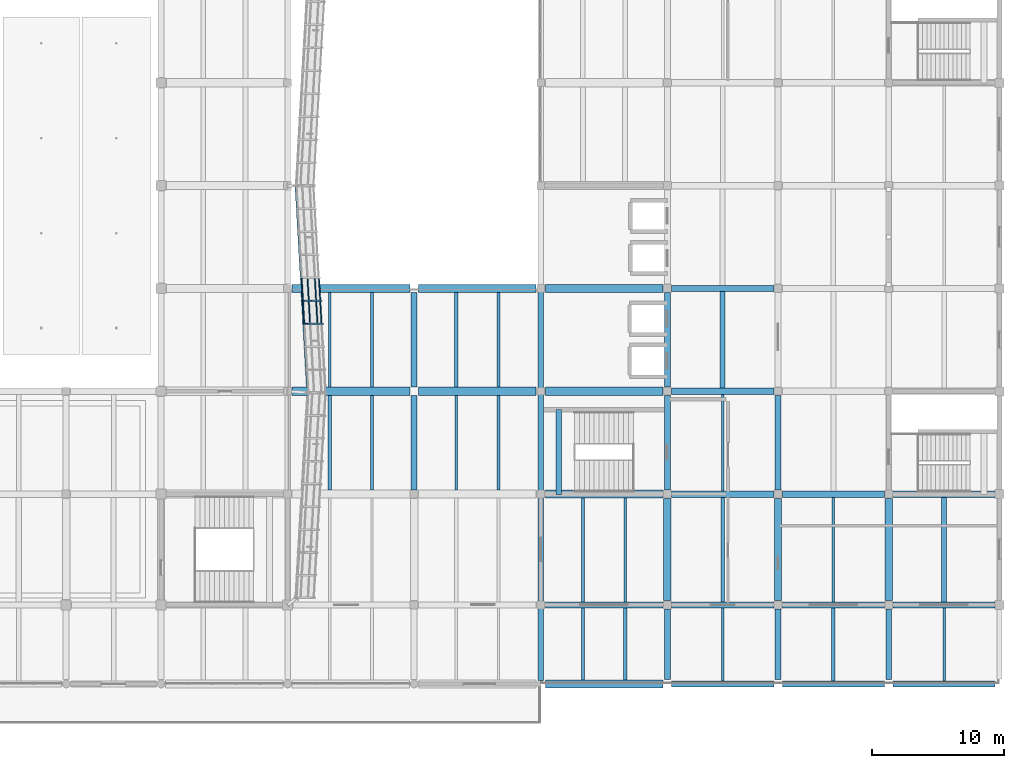
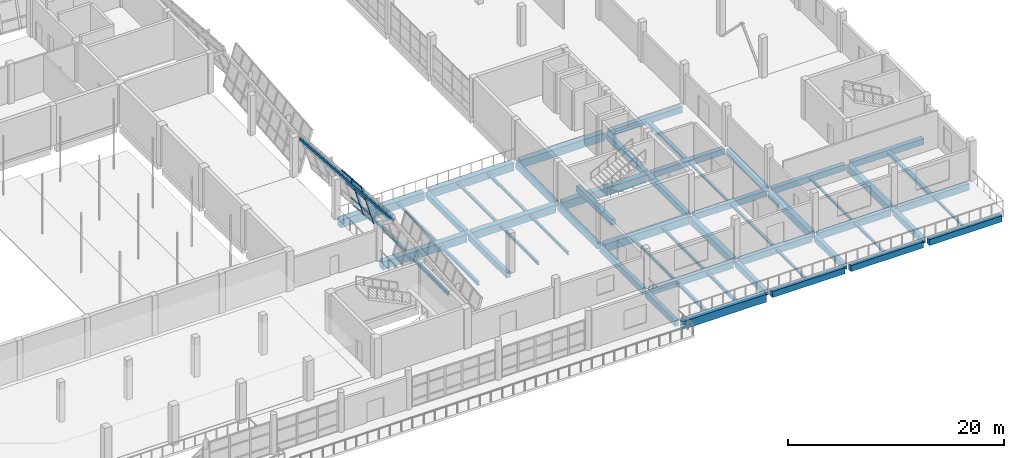
# One storey, part 19 of 71: 57 beams, 10 members, 1 element without a shape of its own.
"""IFC4 building model written with IfcOpenShell, lengths in metres."""

from ifc_helpers import new_model, si_unit, direction, frame, origin, origin_2d, place, context, subcontext, project, spatial, rectangle, hollow_rectangle, i_section, extrude, material, material_profile, profile_set, type_object, element, aggregate, save


model = new_model("IFC4")

# Units and contexts
model_context = context("Model", 3, precision=1e-05, world=origin(), true_north=direction((0.0, 1.0)))
body_context = subcontext(model_context, "Body", "Model", "MODEL_VIEW")
ifc_project = project(units=[si_unit("LENGTHUNIT", "METRE"), si_unit("AREAUNIT", "SQUARE_METRE"), si_unit("VOLUMEUNIT", "CUBIC_METRE"), si_unit("PLANEANGLEUNIT", "RADIAN"), si_unit("MASSUNIT", "GRAM", prefix="KILO")], contexts=[model_context])

# Site, building, storey
site_placement = place(None, origin())
site = spatial("IfcSite", under=ifc_project, at=site_placement, CompositionType="ELEMENT")
building_placement = place(site_placement, origin())
building = spatial("IfcBuilding", under=site, at=building_placement, Name="Pellamere Symphony Hall", CompositionType="ELEMENT")
storey_placement = place(building_placement, frame((0.0, 0.0, 15.0)))
storey = spatial("IfcBuildingStorey", under=building, at=storey_placement, Name="L03", CompositionType="ELEMENT", Elevation=15.0)

# Curtain wall, members
ifc_material_1 = material(Name="Thermally Broken Anodised Aluminium 6063-T6 Curtain Wall", Category="aluminium")
curtain_wall_type = type_object("IfcCurtainWallType", Name="Curtain Wall CW-01 (Tilted Faceted Crystal Low-Iron Curtain Wall)", PredefinedType="NOTDEFINED", material=ifc_material_1)
curtain_wall_placement = place(storey_placement, origin())
curtain_wall = element("IfcCurtainWall", 1, at=curtain_wall_placement, inside=storey, type_object=curtain_wall_type, Name="Crystal Faceted Curtain Wall CW-CR07 (L03)", PredefinedType="NOTDEFINED")
ifc_material_2 = material(Name="Anodised Architectural Aluminium 6063-T6", Category="aluminium")
ifc_material_profile_1 = material_profile(ifc_material_2, hollow_rectangle(XDim=0.074951171875, YDim=0.219970703125, WallThickness=0.0048828125, at=origin_2d()), Name="ALU-M75X220X5")
ifc_profile_set_1 = profile_set([ifc_material_profile_1], Name="Anodised Architectural Aluminium 6063-T6")
member_type_1 = type_object("IfcMemberType", Name="Curtain Wall Mullion ML-01 ALU-M75X220X5", PredefinedType="MULLION", material=ifc_profile_set_1)
member_1_placement = place(storey_placement, frame((121.383056640625, 51.333251953125, 0.0), z_axis=(-0.284024567884, 0.0, 0.95881700279), x_axis=(-0.054873944304, 0.99836096977, -0.016254976991)))
member_1 = element("IfcMember", 2, at=member_1_placement, type_object=member_type_1, Name="CW1-010 crystal mullion 4", PredefinedType="MULLION", context=body_context, shape_type="SweptSolid", body=[
    extrude(hollow_rectangle(XDim=0.074951171875, YDim=0.219970703125, WallThickness=0.0048828125, at=origin_2d()), origin(), (0.0, 0.0, 1.0), 4.693359375),
])
member_2_placement = place(storey_placement, frame((121.282958984375, 53.077880859375, 0.0), z_axis=(-0.284024567884, 0.0, 0.95881700279), x_axis=(-0.054873944304, 0.99836096977, -0.016254976991)))
member_2 = element("IfcMember", 3, at=member_2_placement, type_object=member_type_1, Name="CW1-010 crystal mullion 5", PredefinedType="MULLION", context=body_context, shape_type="SweptSolid", body=[
    extrude(hollow_rectangle(XDim=0.074951171875, YDim=0.219970703125, WallThickness=0.0048828125, at=origin_2d()), origin(), (0.0, 0.0, 1.0), 4.693359375),
])
ifc_material_profile_2 = material_profile(ifc_material_2, hollow_rectangle(XDim=0.074951171875, YDim=0.179931640625, WallThickness=0.0048828125, at=origin_2d()), Name="ALU-T75X180X5")
ifc_profile_set_2 = profile_set([ifc_material_profile_2], Name="Anodised Architectural Aluminium 6063-T6")
member_type_2 = type_object("IfcMemberType", Name="Curtain Wall Transom TR-01 ALU-T75X180X5", PredefinedType="USERDEFINED", material=ifc_profile_set_2)
member_3_placement = place(storey_placement, frame((121.3701171875, 51.370849609375, 0.035888671875), z_axis=(-0.057232737422, 0.998360863499, 0.0), x_axis=(-0.998360863499, -0.057232737422, 0.0)))
member_3 = element("IfcMember", 4, at=member_3_placement, type_object=member_type_2, Name="CW1-010 crystal transom 4.1", ObjectType="TRANSOM", PredefinedType="USERDEFINED", context=body_context, shape_type="SweptSolid", body=[
    extrude(hollow_rectangle(XDim=0.074951171875, YDim=0.179931640625, WallThickness=0.0048828125, at=origin_2d()), origin(), (0.0, 0.0, 1.0), 1.672119140625),
])
member_4_placement = place(storey_placement, frame((121.06103515625, 51.370849609375, 1.080078125), z_axis=(-0.057232737422, 0.998360863499, 0.0), x_axis=(-0.998360863499, -0.057232737422, 0.0)))
member_4 = element("IfcMember", 5, at=member_4_placement, type_object=member_type_2, Name="CW1-010 crystal transom 4.2", ObjectType="TRANSOM", PredefinedType="USERDEFINED", context=body_context, shape_type="SweptSolid", body=[
    extrude(hollow_rectangle(XDim=0.074951171875, YDim=0.179931640625, WallThickness=0.0048828125, at=origin_2d()), origin(), (0.0, 0.0, 1.0), 1.672119140625),
])
member_5_placement = place(storey_placement, frame((120.5009765625, 51.370849609375, 2.969970703125), z_axis=(-0.057232737422, 0.998360863499, 0.0), x_axis=(-0.998360863499, -0.057232737422, 0.0)))
member_5 = element("IfcMember", 6, at=member_5_placement, type_object=member_type_2, Name="CW1-010 crystal transom 4.3", ObjectType="TRANSOM", PredefinedType="USERDEFINED", context=body_context, shape_type="SweptSolid", body=[
    extrude(hollow_rectangle(XDim=0.074951171875, YDim=0.179931640625, WallThickness=0.0048828125, at=origin_2d()), origin(), (0.0, 0.0, 1.0), 1.672119140625),
])
member_6_placement = place(storey_placement, frame((120.05859375, 51.370849609375, 4.464111328125), z_axis=(-0.057232737422, 0.998360863499, 0.0), x_axis=(-0.998360863499, -0.057232737422, 0.0)))
member_6 = element("IfcMember", 7, at=member_6_placement, type_object=member_type_2, Name="CW1-010 crystal transom 4.4", ObjectType="TRANSOM", PredefinedType="USERDEFINED", context=body_context, shape_type="SweptSolid", body=[
    extrude(hollow_rectangle(XDim=0.074951171875, YDim=0.179931640625, WallThickness=0.0048828125, at=origin_2d()), origin(), (0.0, 0.0, 1.0), 1.672119140625),
])
member_7_placement = place(storey_placement, frame((121.270263671875, 53.115234375, 0.035888671875), z_axis=(-0.057232737422, 0.998360863499, 0.0), x_axis=(-0.998360863499, -0.057232737422, 0.0)))
member_7 = element("IfcMember", 8, at=member_7_placement, type_object=member_type_2, Name="CW1-010 crystal transom 5.1", ObjectType="TRANSOM", PredefinedType="USERDEFINED", context=body_context, shape_type="SweptSolid", body=[
    extrude(hollow_rectangle(XDim=0.074951171875, YDim=0.179931640625, WallThickness=0.0048828125, at=origin_2d()), origin(), (0.0, 0.0, 1.0), 1.672119140625),
])
member_8_placement = place(storey_placement, frame((120.9609375, 53.115234375, 1.080078125), z_axis=(-0.057232737422, 0.998360863499, 0.0), x_axis=(-0.998360863499, -0.057232737422, 0.0)))
member_8 = element("IfcMember", 9, at=member_8_placement, type_object=member_type_2, Name="CW1-010 crystal transom 5.2", ObjectType="TRANSOM", PredefinedType="USERDEFINED", context=body_context, shape_type="SweptSolid", body=[
    extrude(hollow_rectangle(XDim=0.074951171875, YDim=0.179931640625, WallThickness=0.0048828125, at=origin_2d()), origin(), (0.0, 0.0, 1.0), 1.672119140625),
])
member_9_placement = place(storey_placement, frame((120.401123046875, 53.115234375, 2.969970703125), z_axis=(-0.057232737422, 0.998360863499, 0.0), x_axis=(-0.998360863499, -0.057232737422, 0.0)))
member_9 = element("IfcMember", 10, at=member_9_placement, type_object=member_type_2, Name="CW1-010 crystal transom 5.3", ObjectType="TRANSOM", PredefinedType="USERDEFINED", context=body_context, shape_type="SweptSolid", body=[
    extrude(hollow_rectangle(XDim=0.074951171875, YDim=0.179931640625, WallThickness=0.0048828125, at=origin_2d()), origin(), (0.0, 0.0, 1.0), 1.672119140625),
])
member_10_placement = place(storey_placement, frame((119.95849609375, 53.115234375, 4.464111328125), z_axis=(-0.057232737422, 0.998360863499, 0.0), x_axis=(-0.998360863499, -0.057232737422, 0.0)))
member_10 = element("IfcMember", 11, at=member_10_placement, type_object=member_type_2, Name="CW1-010 crystal transom 5.4", ObjectType="TRANSOM", PredefinedType="USERDEFINED", context=body_context, shape_type="SweptSolid", body=[
    extrude(hollow_rectangle(XDim=0.074951171875, YDim=0.179931640625, WallThickness=0.0048828125, at=origin_2d()), origin(), (0.0, 0.0, 1.0), 1.672119140625),
])
aggregate(curtain_wall, [member_1, member_2, member_3, member_4, member_5, member_6, member_7, member_8, member_9, member_10])

# Beams
ifc_material_3 = material(Name="Concrete 40 MPa", Category="concrete")
ifc_material_profile_3 = material_profile(ifc_material_3, rectangle(XDim=0.550048828125, YDim=0.800048828125, at=origin_2d()), Name="RC 550x800")
ifc_profile_set_3 = profile_set([ifc_material_profile_3], Name="Concrete 40 MPa")
beam_type_1 = type_object("IfcBeamType", Name="RC CB-05 550x800", PredefinedType="BEAM", material=ifc_profile_set_3)
for number, where, z_axis, x_axis, name in (
    (12, (147.60009765625, 30.324951171875, -0.659912109375), (0.0, 1.0, 0.0), (-1.0, 0.0, 0.0), "Girder CB-05-Y1680 (L03)"),
    (13, (156.0, 30.324951171875, -0.659912109375), (0.0, 1.0, 0.0), (-1.0, 0.0, 0.0), "Girder CB-05-Y1689 (L03)"),
    (14, (164.39990234375, 30.324951171875, -0.659912109375), (0.0, 1.0, 0.0), (-1.0, 0.0, 0.0), "Girder CB-05-Y1698 (L03)"),
):
    element("IfcBeam", number, at=place(storey_placement, frame(where, z_axis=z_axis, x_axis=x_axis)), inside=storey, type_object=beam_type_1, Name=name, PredefinedType="BEAM", context=body_context, shape_type="SweptSolid", body=[
        extrude(rectangle(XDim=0.550048828125, YDim=0.800048828125, at=origin_2d()), origin(), (0.0, 0.0, 1.0), 7.75),
    ])
ifc_material_profile_4 = material_profile(ifc_material_3, rectangle(XDim=0.449951171875, YDim=0.64990234375, at=origin_2d()), Name="RC 450x650")
ifc_profile_set_4 = profile_set([ifc_material_profile_4], Name="Concrete 40 MPa")
beam_type_2 = type_object("IfcBeamType", Name="RC CB-08 450x650", PredefinedType="BEAM", material=ifc_profile_set_4)
beam_1_placement = place(storey_placement, frame((128.39990234375, 38.72509765625, -0.5849609375), z_axis=(0.0, 1.0, 0.0), x_axis=(-1.0, 0.0, 0.0)))
element("IfcBeam", 15, at=beam_1_placement, inside=storey, type_object=beam_type_2, Name="Girder CB-08-Y1668 (L03)", PredefinedType="BEAM", context=body_context, shape_type="SweptSolid", body=[
    extrude(rectangle(XDim=0.449951171875, YDim=0.64990234375, at=origin_2d()), origin(), (0.0, 0.0, 1.0), 7.14990234375),
])
beam_2_placement = place(storey_placement, frame((128.39990234375, 46.52490234375, -0.5849609375), z_axis=(0.0, 1.0, 0.0), x_axis=(-1.0, 0.0, 0.0)))
element("IfcBeam", 16, at=beam_2_placement, inside=storey, type_object=beam_type_2, Name="Girder CB-08-Y1669 (L03)", PredefinedType="BEAM", context=body_context, shape_type="SweptSolid", body=[
    extrude(rectangle(XDim=0.449951171875, YDim=0.64990234375, at=origin_2d()), origin(), (0.0, 0.0, 1.0), 7.150146484375),
])
beam_3_placement = place(storey_placement, frame((147.60009765625, 24.324951171875, -0.5849609375), z_axis=(0.0, 1.0, 0.0), x_axis=(-1.0, 0.0, 0.0)))
element("IfcBeam", 17, at=beam_3_placement, inside=storey, type_object=beam_type_2, Name="Girder CB-08-Y1679 (L03)", PredefinedType="BEAM", context=body_context, shape_type="SweptSolid", body=[
    extrude(rectangle(XDim=0.449951171875, YDim=0.64990234375, at=origin_2d()), origin(), (0.0, 0.0, 1.0), 5.35009765625),
])
beam_4_placement = place(storey_placement, frame((147.60009765625, 38.72509765625, -0.5849609375), z_axis=(0.0, 1.0, 0.0), x_axis=(-1.0, 0.0, 0.0)))
element("IfcBeam", 18, at=beam_4_placement, inside=storey, type_object=beam_type_2, Name="Girder CB-08-Y1681 (L03)", PredefinedType="BEAM", context=body_context, shape_type="SweptSolid", body=[
    extrude(rectangle(XDim=0.449951171875, YDim=0.64990234375, at=origin_2d()), origin(), (0.0, 0.0, 1.0), 7.14990234375),
])
beam_5_placement = place(storey_placement, frame((147.60009765625, 46.52490234375, -0.5849609375), z_axis=(0.0, 1.0, 0.0), x_axis=(-1.0, 0.0, 0.0)))
element("IfcBeam", 19, at=beam_5_placement, inside=storey, type_object=beam_type_2, Name="Girder CB-08-Y1682 (L03)", PredefinedType="BEAM", context=body_context, shape_type="SweptSolid", body=[
    extrude(rectangle(XDim=0.449951171875, YDim=0.64990234375, at=origin_2d()), origin(), (0.0, 0.0, 1.0), 7.150146484375),
])
beam_6_placement = place(storey_placement, frame((156.0, 24.324951171875, -0.5849609375), z_axis=(0.0, 1.0, 0.0), x_axis=(-1.0, 0.0, 0.0)))
element("IfcBeam", 20, at=beam_6_placement, inside=storey, type_object=beam_type_2, Name="Girder CB-08-Y1688 (L03)", PredefinedType="BEAM", context=body_context, shape_type="SweptSolid", body=[
    extrude(rectangle(XDim=0.449951171875, YDim=0.64990234375, at=origin_2d()), origin(), (0.0, 0.0, 1.0), 5.35009765625),
])
beam_7_placement = place(storey_placement, frame((156.0, 38.72509765625, -0.5849609375), z_axis=(0.0, 1.0, 0.0), x_axis=(-1.0, 0.0, 0.0)))
element("IfcBeam", 21, at=beam_7_placement, inside=storey, type_object=beam_type_2, Name="Girder CB-08-Y1690 (L03)", PredefinedType="BEAM", context=body_context, shape_type="SweptSolid", body=[
    extrude(rectangle(XDim=0.449951171875, YDim=0.64990234375, at=origin_2d()), origin(), (0.0, 0.0, 1.0), 7.14990234375),
])
beam_8_placement = place(storey_placement, frame((164.39990234375, 24.324951171875, -0.5849609375), z_axis=(0.0, 1.0, 0.0), x_axis=(-1.0, 0.0, 0.0)))
element("IfcBeam", 22, at=beam_8_placement, inside=storey, type_object=beam_type_2, Name="Girder CB-08-Y1697 (L03)", PredefinedType="BEAM", context=body_context, shape_type="SweptSolid", body=[
    extrude(rectangle(XDim=0.449951171875, YDim=0.64990234375, at=origin_2d()), origin(), (0.0, 0.0, 1.0), 5.35009765625),
])
beam_9_placement = place(storey_placement, frame((139.367431640625, 38.3798828125, 1.705078125), z_axis=(0.0, 1.0, 0.0), x_axis=(-1.0, 0.0, 0.0)))
element("IfcBeam", 23, at=beam_9_placement, inside=storey, type_object=beam_type_2, Name="Stair ST02-L03 Half Landing Support Beam (L03)", PredefinedType="BEAM", context=body_context, shape_type="SweptSolid", body=[
    extrude(rectangle(XDim=0.449951171875, YDim=0.64990234375, at=origin_2d()), origin(), (0.0, 0.0, 1.0), 6.440185546875),
])
ifc_material_profile_5 = material_profile(ifc_material_3, rectangle(XDim=0.449951171875, YDim=0.75, at=origin_2d()), Name="RC 450x750")
ifc_profile_set_5 = profile_set([ifc_material_profile_5], Name="Concrete 40 MPa")
beam_type_3 = type_object("IfcBeamType", Name="RC CB-12 450x750", PredefinedType="SPANDREL", material=ifc_profile_set_5)
beam_10_placement = place(storey_placement, frame((138.375, 30.0, -0.635009765625), z_axis=(1.0, 0.0, 0.0), x_axis=(0.0, 1.0, 0.0)))
element("IfcBeam", 24, at=beam_10_placement, inside=storey, type_object=beam_type_3, Name="Girder CB-12-X1517 (L03)", PredefinedType="SPANDREL", context=body_context, shape_type="SweptSolid", body=[
    extrude(rectangle(XDim=0.449951171875, YDim=0.75, at=origin_2d()), origin(), (0.0, 0.0, 1.0), 8.89990234375),
])
for number, where, z_axis, x_axis, name in (
    (25, (147.925048828125, 30.0, -0.635009765625), (1.0, 0.0, 0.0), (0.0, 1.0, 0.0), "Girder CB-12-X1518 (L03)"),
    (26, (156.324951171875, 30.0, -0.635009765625), (1.0, 0.0, 0.0), (0.0, 1.0, 0.0), "Girder CB-12-X1519 (L03)"),
):
    element("IfcBeam", number, at=place(storey_placement, frame(where, z_axis=z_axis, x_axis=x_axis)), inside=storey, type_object=beam_type_3, Name=name, PredefinedType="SPANDREL", context=body_context, shape_type="SweptSolid", body=[
        extrude(rectangle(XDim=0.449951171875, YDim=0.75, at=origin_2d()), origin(), (0.0, 0.0, 1.0), 7.75),
    ])
beam_11_placement = place(storey_placement, frame((164.72509765625, 30.0, -0.635009765625), z_axis=(1.0, 0.0, 0.0), x_axis=(0.0, 1.0, 0.0)))
element("IfcBeam", 27, at=beam_11_placement, inside=storey, type_object=beam_type_3, Name="Girder CB-12-X1520 (L03)", PredefinedType="SPANDREL", context=body_context, shape_type="SweptSolid", body=[
    extrude(rectangle(XDim=0.449951171875, YDim=0.75, at=origin_2d()), origin(), (0.0, 0.0, 1.0), 7.71484375),
])
ifc_material_profile_6 = material_profile(ifc_material_3, rectangle(XDim=0.39990234375, YDim=0.699951171875, at=origin_2d()), Name="RC 400x700")
ifc_profile_set_6 = profile_set([ifc_material_profile_6], Name="Concrete 40 MPa")
beam_type_4 = type_object("IfcBeamType", Name="RC CB-13 400x700", PredefinedType="SPANDREL", material=ifc_profile_set_6)
beam_12_placement = place(storey_placement, frame((138.0, 24.25, -0.610107421875), z_axis=(0.0, 1.0, 0.0), x_axis=(-1.0, 0.0, 0.0)))
element("IfcBeam", 28, at=beam_12_placement, inside=storey, type_object=beam_type_4, Name="Girder CB-13-Y1670 (L03)", PredefinedType="SPANDREL", context=body_context, shape_type="SweptSolid", body=[
    extrude(rectangle(XDim=0.39990234375, YDim=0.699951171875, at=origin_2d()), origin(), (0.0, 0.0, 1.0), 5.5),
])
beam_13_placement = place(storey_placement, frame((138.0, 30.25, -0.610107421875), z_axis=(0.0, 1.0, 0.0), x_axis=(-1.0, 0.0, 0.0)))
element("IfcBeam", 29, at=beam_13_placement, inside=storey, type_object=beam_type_4, Name="Girder CB-13-Y1671 (L03)", PredefinedType="SPANDREL", context=body_context, shape_type="SweptSolid", body=[
    extrude(rectangle(XDim=0.39990234375, YDim=0.699951171875, at=origin_2d()), origin(), (0.0, 0.0, 1.0), 7.89990234375),
])
for number, where, z_axis, x_axis, name in (
    (30, (138.0, 38.64990234375, -0.610107421875), (0.0, 1.0, 0.0), (-1.0, 0.0, 0.0), "Girder CB-13-Y1672 (L03)"),
    (31, (138.0, 46.449951171875, -0.610107421875), (0.0, 1.0, 0.0), (-1.0, 0.0, 0.0), "Girder CB-13-Y1673 (L03)"),
):
    element("IfcBeam", number, at=place(storey_placement, frame(where, z_axis=z_axis, x_axis=x_axis)), inside=storey, type_object=beam_type_4, Name=name, PredefinedType="SPANDREL", context=body_context, shape_type="SweptSolid", body=[
        extrude(rectangle(XDim=0.39990234375, YDim=0.699951171875, at=origin_2d()), origin(), (0.0, 0.0, 1.0), 7.300048828125),
    ])
ifc_material_profile_7 = material_profile(ifc_material_3, rectangle(XDim=0.6201171875, YDim=0.8798828125, at=origin_2d()), Name="RC 620x880")
ifc_profile_set_7 = profile_set([ifc_material_profile_7], Name="Concrete 40 MPa")
beam_type_5 = type_object("IfcBeamType", Name="RC CB-17 620x880", PredefinedType="BEAM", material=ifc_profile_set_7)
for number, where, z_axis, x_axis, name in (
    (32, (138.375, 24.0, -0.699951171875), (1.0, 0.0, 0.0), (0.0, 1.0, 0.0), "Girder CB-17-X1502 (L03)"),
    (33, (138.375, 38.39990234375, -0.699951171875), (1.0, 0.0, 0.0), (0.0, 1.0, 0.0), "Girder CB-17-X1532 (L03)"),
):
    element("IfcBeam", number, at=place(storey_placement, frame(where, z_axis=z_axis, x_axis=x_axis)), inside=storey, type_object=beam_type_5, Name=name, PredefinedType="BEAM", context=body_context, shape_type="SweptSolid", body=[
        extrude(rectangle(XDim=0.6201171875, YDim=0.8798828125, at=origin_2d()), origin(), (0.0, 0.0, 1.0), 8.89990234375),
    ])
beam_14_placement = place(storey_placement, frame((119.125, 46.199951171875, -0.699951171875), z_axis=(1.0, 0.0, 0.0), x_axis=(0.0, 1.0, 0.0)))
element("IfcBeam", 34, at=beam_14_placement, inside=storey, type_object=beam_type_5, Name="Girder CB-17-X1545 (L03)", PredefinedType="BEAM", context=body_context, shape_type="SweptSolid", body=[
    extrude(rectangle(XDim=0.6201171875, YDim=0.8798828125, at=origin_2d()), origin(), (0.0, 0.0, 1.0), 8.949951171875),
])
for number, where, z_axis, x_axis, name in (
    (35, (128.72509765625, 46.199951171875, -0.699951171875), (1.0, 0.0, 0.0), (0.0, 1.0, 0.0), "Girder CB-17-X1546 (L03)"),
    (36, (138.375, 46.199951171875, -0.699951171875), (1.0, 0.0, 0.0), (0.0, 1.0, 0.0), "Girder CB-17-X1547 (L03)"),
):
    element("IfcBeam", number, at=place(storey_placement, frame(where, z_axis=z_axis, x_axis=x_axis)), inside=storey, type_object=beam_type_5, Name=name, PredefinedType="BEAM", context=body_context, shape_type="SweptSolid", body=[
        extrude(rectangle(XDim=0.6201171875, YDim=0.8798828125, at=origin_2d()), origin(), (0.0, 0.0, 1.0), 8.89990234375),
    ])
beam_15_placement = place(storey_placement, frame((119.125, 54.0, -0.699951171875), z_axis=(1.0, 0.0, 0.0), x_axis=(0.0, 1.0, 0.0)))
element("IfcBeam", 37, at=beam_15_placement, inside=storey, type_object=beam_type_5, Name="Girder CB-17-X1553 (L03)", PredefinedType="BEAM", context=body_context, shape_type="SweptSolid", body=[
    extrude(rectangle(XDim=0.6201171875, YDim=0.8798828125, at=origin_2d()), origin(), (0.0, 0.0, 1.0), 8.949951171875),
])
for number, where, z_axis, x_axis, name in (
    (38, (128.72509765625, 54.0, -0.699951171875), (1.0, 0.0, 0.0), (0.0, 1.0, 0.0), "Girder CB-17-X1554 (L03)"),
    (39, (138.375, 54.0, -0.699951171875), (1.0, 0.0, 0.0), (0.0, 1.0, 0.0), "Girder CB-17-X1555 (L03)"),
):
    element("IfcBeam", number, at=place(storey_placement, frame(where, z_axis=z_axis, x_axis=x_axis)), inside=storey, type_object=beam_type_5, Name=name, PredefinedType="BEAM", context=body_context, shape_type="SweptSolid", body=[
        extrude(rectangle(XDim=0.6201171875, YDim=0.8798828125, at=origin_2d()), origin(), (0.0, 0.0, 1.0), 8.89990234375),
    ])
ifc_material_profile_8 = material_profile(ifc_material_3, rectangle(XDim=0.47998046875, YDim=0.679931640625, at=origin_2d()), Name="RC 480x680")
ifc_profile_set_8 = profile_set([ifc_material_profile_8], Name="Concrete 40 MPa")
beam_type_6 = type_object("IfcBeamType", Name="RC CB-19 480x680", PredefinedType="BEAM", material=ifc_profile_set_8)
for number, where, z_axis, x_axis, name in (
    (40, (147.925048828125, 24.0, -0.60009765625), (1.0, 0.0, 0.0), (0.0, 1.0, 0.0), "Girder CB-19-X1503 (L03)"),
    (41, (156.324951171875, 24.0, -0.60009765625), (1.0, 0.0, 0.0), (0.0, 1.0, 0.0), "Girder CB-19-X1504 (L03)"),
):
    element("IfcBeam", number, at=place(storey_placement, frame(where, z_axis=z_axis, x_axis=x_axis)), inside=storey, type_object=beam_type_6, Name=name, PredefinedType="BEAM", context=body_context, shape_type="SweptSolid", body=[
        extrude(rectangle(XDim=0.47998046875, YDim=0.679931640625, at=origin_2d()), origin(), (0.0, 0.0, 1.0), 7.75),
    ])
beam_16_placement = place(storey_placement, frame((164.72509765625, 24.0, -0.60009765625), z_axis=(1.0, 0.0, 0.0), x_axis=(0.0, 1.0, 0.0)))
element("IfcBeam", 42, at=beam_16_placement, inside=storey, type_object=beam_type_6, Name="Girder CB-19-X1505 (L03)", PredefinedType="BEAM", context=body_context, shape_type="SweptSolid", body=[
    extrude(rectangle(XDim=0.47998046875, YDim=0.679931640625, at=origin_2d()), origin(), (0.0, 0.0, 1.0), 7.71484375),
])
for number, where, z_axis, x_axis, name in (
    (43, (147.925048828125, 38.39990234375, -0.60009765625), (1.0, 0.0, 0.0), (0.0, 1.0, 0.0), "Girder CB-19-X1533 (L03)"),
    (44, (156.324951171875, 38.39990234375, -0.60009765625), (1.0, 0.0, 0.0), (0.0, 1.0, 0.0), "Girder CB-19-X1534 (L03)"),
):
    element("IfcBeam", number, at=place(storey_placement, frame(where, z_axis=z_axis, x_axis=x_axis)), inside=storey, type_object=beam_type_6, Name=name, PredefinedType="BEAM", context=body_context, shape_type="SweptSolid", body=[
        extrude(rectangle(XDim=0.47998046875, YDim=0.679931640625, at=origin_2d()), origin(), (0.0, 0.0, 1.0), 7.75),
    ])
beam_17_placement = place(storey_placement, frame((164.72509765625, 38.39990234375, -0.60009765625), z_axis=(1.0, 0.0, 0.0), x_axis=(0.0, 1.0, 0.0)))
element("IfcBeam", 45, at=beam_17_placement, inside=storey, type_object=beam_type_6, Name="Girder CB-19-X1535 (L03)", PredefinedType="BEAM", context=body_context, shape_type="SweptSolid", body=[
    extrude(rectangle(XDim=0.47998046875, YDim=0.679931640625, at=origin_2d()), origin(), (0.0, 0.0, 1.0), 7.71484375),
])
for number, where, z_axis, x_axis, name in (
    (46, (147.925048828125, 46.199951171875, -0.60009765625), (1.0, 0.0, 0.0), (0.0, 1.0, 0.0), "Girder CB-19-X1548 (L03)"),
    (47, (147.925048828125, 54.0, -0.60009765625), (1.0, 0.0, 0.0), (0.0, 1.0, 0.0), "Girder CB-19-X1556 (L03)"),
):
    element("IfcBeam", number, at=place(storey_placement, frame(where, z_axis=z_axis, x_axis=x_axis)), inside=storey, type_object=beam_type_6, Name=name, PredefinedType="BEAM", context=body_context, shape_type="SweptSolid", body=[
        extrude(rectangle(XDim=0.47998046875, YDim=0.679931640625, at=origin_2d()), origin(), (0.0, 0.0, 1.0), 7.75),
    ])
ifc_material_4 = material(Name="Steel CSA G40.21 350W", Category="steel")
ifc_material_profile_9 = material_profile(ifc_material_4, i_section(OverallWidth=0.3740234375, OverallDepth=0.3720703125, WebThickness=0.016357421875, FlangeThickness=0.026123046875, at=origin_2d()), Name="W360X196")
ifc_profile_set_9 = profile_set([ifc_material_profile_9], Name="Steel CSA G40.21 350W")
beam_type_7 = type_object("IfcBeamType", Name="Steel Beam SB-27 W360X196", PredefinedType="BEAM", material=ifc_profile_set_9)
beam_18_placement = place(storey_placement, frame((151.800048828125, 46.43994140625, -0.4609375), z_axis=(0.0, 1.0, 0.0), x_axis=(-1.0, 0.0, 0.0)))
element("IfcBeam", 48, at=beam_18_placement, inside=storey, type_object=beam_type_7, Name="Secondary Floor Beam SB-27-M1806 (L03)", PredefinedType="BEAM", context=body_context, shape_type="SweptSolid", body=[
    extrude(i_section(OverallWidth=0.3740234375, OverallDepth=0.3720703125, WebThickness=0.016357421875, FlangeThickness=0.026123046875, at=origin_2d()), origin(), (0.0, 0.0, 1.0), 7.320068359375),
])
beam_19_placement = place(storey_placement, frame((168.60009765625, 30.22509765625, -0.4609375), z_axis=(0.0, 1.0, 0.0), x_axis=(-1.0, 0.0, 0.0)))
element("IfcBeam", 49, at=beam_19_placement, inside=storey, type_object=beam_type_7, Name="Secondary Floor Beam SB-27-M2004 (L03)", PredefinedType="BEAM", context=body_context, shape_type="SweptSolid", body=[
    extrude(i_section(OverallWidth=0.3740234375, OverallDepth=0.3720703125, WebThickness=0.016357421875, FlangeThickness=0.026123046875, at=origin_2d()), origin(), (0.0, 0.0, 1.0), 7.934814453125),
])
ifc_material_profile_10 = material_profile(ifc_material_4, i_section(OverallWidth=0.25390625, OverallDepth=0.35302734375, WebThickness=0.009521484375, FlangeThickness=0.016357421875, at=origin_2d()), Name="W360X91")
ifc_profile_set_10 = profile_set([ifc_material_profile_10], Name="Steel CSA G40.21 350W")
beam_type_8 = type_object("IfcBeamType", Name="Steel Joist SB-20 W360X91", PredefinedType="JOIST", material=ifc_profile_set_10)
for number, where, z_axis, x_axis, name in (
    (50, (122.0, 38.7099609375, -0.451416015625), (0.0, 1.0, 0.0), (-1.0, 0.0, 0.0), "Secondary Floor Beam SB-20-A1505 (L03)"),
    (51, (125.199951171875, 38.7099609375, -0.451416015625), (0.0, 1.0, 0.0), (-1.0, 0.0, 0.0), "Secondary Floor Beam SB-20-B1505 (L03)"),
):
    element("IfcBeam", number, at=place(storey_placement, frame(where, z_axis=z_axis, x_axis=x_axis)), inside=storey, type_object=beam_type_8, Name=name, PredefinedType="JOIST", context=body_context, shape_type="SweptSolid", body=[
        extrude(i_section(OverallWidth=0.25390625, OverallDepth=0.35302734375, WebThickness=0.009521484375, FlangeThickness=0.016357421875, at=origin_2d()), origin(), (0.0, 0.0, 1.0), 7.179931640625),
    ])
for number, where, z_axis, x_axis, name in (
    (52, (141.199951171875, 24.31005859375, -0.451416015625), (0.0, 1.0, 0.0), (-1.0, 0.0, 0.0), "Secondary Floor Beam SB-20-A1703 (L03)"),
    (53, (144.39990234375, 24.31005859375, -0.451416015625), (0.0, 1.0, 0.0), (-1.0, 0.0, 0.0), "Secondary Floor Beam SB-20-B1703 (L03)"),
):
    element("IfcBeam", number, at=place(storey_placement, frame(where, z_axis=z_axis, x_axis=x_axis)), inside=storey, type_object=beam_type_8, Name=name, PredefinedType="JOIST", context=body_context, shape_type="SweptSolid", body=[
        extrude(i_section(OverallWidth=0.25390625, OverallDepth=0.35302734375, WebThickness=0.009521484375, FlangeThickness=0.016357421875, at=origin_2d()), origin(), (0.0, 0.0, 1.0), 5.46484375),
    ])
ifc_material_profile_11 = material_profile(ifc_material_4, i_section(OverallWidth=0.202880859375, OverallDepth=0.302978515625, WebThickness=0.007568359375, FlangeThickness=0.01318359375, at=origin_2d()), Name="W310X60")
ifc_profile_set_11 = profile_set([ifc_material_profile_11], Name="Steel CSA G40.21 350W")
beam_type_9 = type_object("IfcBeamType", Name="Steel Joist SB-23 W310X60", PredefinedType="JOIST", material=ifc_profile_set_11)
for number, where, z_axis, x_axis, name in (
    (54, (122.0, 46.510009765625, -0.426513671875), (0.0, 1.0, 0.0), (-1.0, 0.0, 0.0), "Secondary Floor Beam SB-23-A1506 (L03)"),
    (55, (125.199951171875, 46.510009765625, -0.426513671875), (0.0, 1.0, 0.0), (-1.0, 0.0, 0.0), "Secondary Floor Beam SB-23-B1506 (L03)"),
    (56, (131.60009765625, 38.7099609375, -0.426513671875), (0.0, 1.0, 0.0), (-1.0, 0.0, 0.0), "Secondary Floor Beam SB-23-A1605 (L03)"),
    (57, (134.800048828125, 38.7099609375, -0.426513671875), (0.0, 1.0, 0.0), (-1.0, 0.0, 0.0), "Secondary Floor Beam SB-23-B1605 (L03)"),
):
    element("IfcBeam", number, at=place(storey_placement, frame(where, z_axis=z_axis, x_axis=x_axis)), inside=storey, type_object=beam_type_9, Name=name, PredefinedType="JOIST", context=body_context, shape_type="SweptSolid", body=[
        extrude(i_section(OverallWidth=0.202880859375, OverallDepth=0.302978515625, WebThickness=0.007568359375, FlangeThickness=0.01318359375, at=origin_2d()), origin(), (0.0, 0.0, 1.0), 7.179931640625),
    ])
for number, where, z_axis, x_axis, name in (
    (58, (141.199951171875, 30.22509765625, -0.426513671875), (0.0, 1.0, 0.0), (-1.0, 0.0, 0.0), "Secondary Floor Beam SB-23-A1704 (L03)"),
    (59, (144.39990234375, 30.22509765625, -0.426513671875), (0.0, 1.0, 0.0), (-1.0, 0.0, 0.0), "Secondary Floor Beam SB-23-B1704 (L03)"),
):
    element("IfcBeam", number, at=place(storey_placement, frame(where, z_axis=z_axis, x_axis=x_axis)), inside=storey, type_object=beam_type_9, Name=name, PredefinedType="JOIST", context=body_context, shape_type="SweptSolid", body=[
        extrude(i_section(OverallWidth=0.202880859375, OverallDepth=0.302978515625, WebThickness=0.007568359375, FlangeThickness=0.01318359375, at=origin_2d()), origin(), (0.0, 0.0, 1.0), 7.864990234375),
    ])
beam_20_placement = place(storey_placement, frame((151.800048828125, 24.239990234375, -0.426513671875), z_axis=(0.0, 1.0, 0.0), x_axis=(-1.0, 0.0, 0.0)))
element("IfcBeam", 60, at=beam_20_placement, inside=storey, type_object=beam_type_9, Name="Secondary Floor Beam SB-23-M1803 (L03)", PredefinedType="JOIST", context=body_context, shape_type="SweptSolid", body=[
    extrude(i_section(OverallWidth=0.202880859375, OverallDepth=0.302978515625, WebThickness=0.007568359375, FlangeThickness=0.01318359375, at=origin_2d()), origin(), (0.0, 0.0, 1.0), 5.534912109375),
])
ifc_material_profile_12 = material_profile(ifc_material_4, i_section(OverallWidth=0.25390625, OverallDepth=0.2529296875, WebThickness=0.008544921875, FlangeThickness=0.01416015625, at=origin_2d()), Name="W250X73")
ifc_profile_set_12 = profile_set([ifc_material_profile_12], Name="Steel CSA G40.21 350W")
beam_type_10 = type_object("IfcBeamType", Name="Steel Joist SB-24 W250X73", PredefinedType="JOIST", material=ifc_profile_set_12)
for number, where, z_axis, x_axis, name in (
    (61, (131.60009765625, 46.510009765625, -0.401611328125), (0.0, 1.0, 0.0), (-1.0, 0.0, 0.0), "Secondary Floor Beam SB-24-A1606 (L03)"),
    (62, (134.800048828125, 46.510009765625, -0.401611328125), (0.0, 1.0, 0.0), (-1.0, 0.0, 0.0), "Secondary Floor Beam SB-24-B1606 (L03)"),
):
    element("IfcBeam", number, at=place(storey_placement, frame(where, z_axis=z_axis, x_axis=x_axis)), inside=storey, type_object=beam_type_10, Name=name, PredefinedType="JOIST", context=body_context, shape_type="SweptSolid", body=[
        extrude(i_section(OverallWidth=0.25390625, OverallDepth=0.2529296875, WebThickness=0.008544921875, FlangeThickness=0.01416015625, at=origin_2d()), origin(), (0.0, 0.0, 1.0), 7.179931640625),
    ])
beam_21_placement = place(storey_placement, frame((151.800048828125, 30.22509765625, -0.401611328125), z_axis=(0.0, 1.0, 0.0), x_axis=(-1.0, 0.0, 0.0)))
element("IfcBeam", 63, at=beam_21_placement, inside=storey, type_object=beam_type_10, Name="Secondary Floor Beam SB-24-M1804 (L03)", PredefinedType="JOIST", context=body_context, shape_type="SweptSolid", body=[
    extrude(i_section(OverallWidth=0.25390625, OverallDepth=0.2529296875, WebThickness=0.008544921875, FlangeThickness=0.01416015625, at=origin_2d()), origin(), (0.0, 0.0, 1.0), 7.934814453125),
])
beam_22_placement = place(storey_placement, frame((160.199951171875, 24.239990234375, -0.401611328125), z_axis=(0.0, 1.0, 0.0), x_axis=(-1.0, 0.0, 0.0)))
element("IfcBeam", 64, at=beam_22_placement, inside=storey, type_object=beam_type_10, Name="Secondary Floor Beam SB-24-M1903 (L03)", PredefinedType="JOIST", context=body_context, shape_type="SweptSolid", body=[
    extrude(i_section(OverallWidth=0.25390625, OverallDepth=0.2529296875, WebThickness=0.008544921875, FlangeThickness=0.01416015625, at=origin_2d()), origin(), (0.0, 0.0, 1.0), 5.534912109375),
])
ifc_material_profile_13 = material_profile(ifc_material_4, i_section(OverallWidth=0.201904296875, OverallDepth=0.2470703125, WebThickness=0.00732421875, FlangeThickness=0.010986328125, at=origin_2d()), Name="W250X49")
ifc_profile_set_13 = profile_set([ifc_material_profile_13], Name="Steel CSA G40.21 350W")
beam_type_11 = type_object("IfcBeamType", Name="Steel Joist SB-25 W250X49", PredefinedType="JOIST", material=ifc_profile_set_13)
beam_23_placement = place(storey_placement, frame((151.800048828125, 38.639892578125, -0.3984375), z_axis=(0.0, 1.0, 0.0), x_axis=(-1.0, 0.0, 0.0)))
element("IfcBeam", 65, at=beam_23_placement, inside=storey, type_object=beam_type_11, Name="Secondary Floor Beam SB-25-M1805 (L03)", PredefinedType="JOIST", context=body_context, shape_type="SweptSolid", body=[
    extrude(i_section(OverallWidth=0.201904296875, OverallDepth=0.2470703125, WebThickness=0.00732421875, FlangeThickness=0.010986328125, at=origin_2d()), origin(), (0.0, 0.0, 1.0), 7.320068359375),
])
beam_24_placement = place(storey_placement, frame((160.199951171875, 30.22509765625, -0.3984375), z_axis=(0.0, 1.0, 0.0), x_axis=(-1.0, 0.0, 0.0)))
element("IfcBeam", 66, at=beam_24_placement, inside=storey, type_object=beam_type_11, Name="Secondary Floor Beam SB-25-M1904 (L03)", PredefinedType="JOIST", context=body_context, shape_type="SweptSolid", body=[
    extrude(i_section(OverallWidth=0.201904296875, OverallDepth=0.2470703125, WebThickness=0.00732421875, FlangeThickness=0.010986328125, at=origin_2d()), origin(), (0.0, 0.0, 1.0), 7.934814453125),
])
beam_25_placement = place(storey_placement, frame((168.60009765625, 24.239990234375, -0.3984375), z_axis=(0.0, 1.0, 0.0), x_axis=(-1.0, 0.0, 0.0)))
element("IfcBeam", 67, at=beam_25_placement, inside=storey, type_object=beam_type_11, Name="Secondary Floor Beam SB-25-M2003 (L03)", PredefinedType="JOIST", context=body_context, shape_type="SweptSolid", body=[
    extrude(i_section(OverallWidth=0.201904296875, OverallDepth=0.2470703125, WebThickness=0.00732421875, FlangeThickness=0.010986328125, at=origin_2d()), origin(), (0.0, 0.0, 1.0), 5.534912109375),
])
ifc_material_profile_14 = material_profile(ifc_material_4, hollow_rectangle(XDim=0.203125, YDim=0.3046875, WallThickness=0.0126953125, at=origin_2d()), Name="HSS305X203X13")
ifc_profile_set_14 = profile_set([ifc_material_profile_14], Name="Steel CSA G40.21 350W")
beam_type_12 = type_object("IfcBeamType", Name="Steel Spandrel SB-26 HSS305X203X13", PredefinedType="SPANDREL", material=ifc_profile_set_14)
beam_26_placement = place(storey_placement, frame((120.35009765625, 46.10009765625, 3.93994140625), z_axis=(-0.057240345461, 0.998360427326, 0.0), x_axis=(-0.998360427326, -0.057240345461, 0.0)))
element("IfcBeam", 68, at=beam_26_placement, inside=storey, type_object=beam_type_12, Name="Crystal Perimeter Ring Beam CW-CR07 (L03)", PredefinedType="SPANDREL", context=body_context, shape_type="SweptSolid", body=[
    extrude(hollow_rectangle(XDim=0.203125, YDim=0.3046875, WallThickness=0.0126953125, at=origin_2d()), origin(), (0.0, 0.0, 1.0), 15.725830078125),
])

save(model, "model.ifc")
